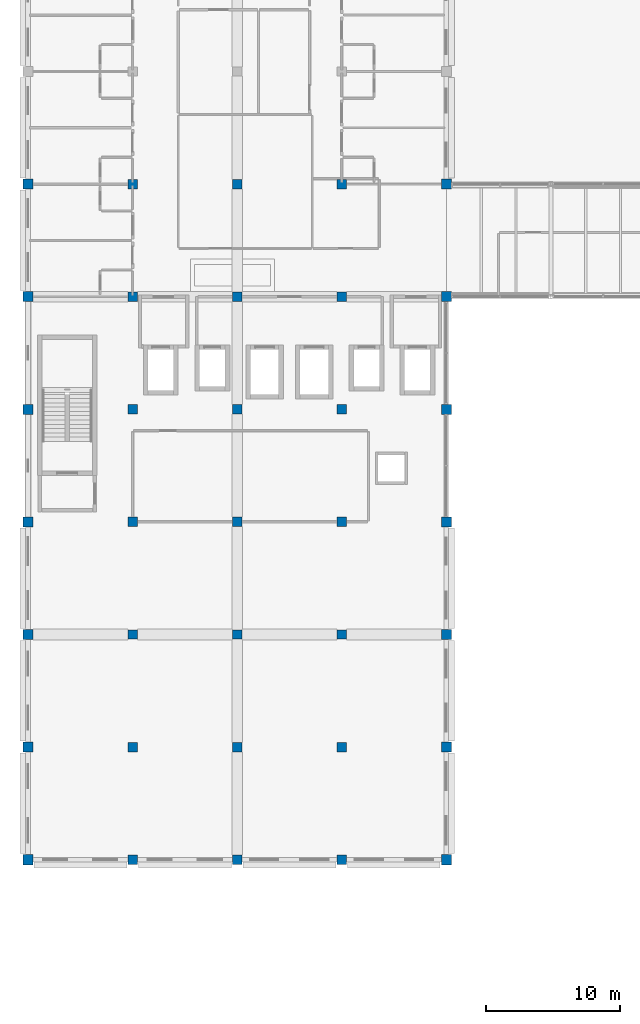
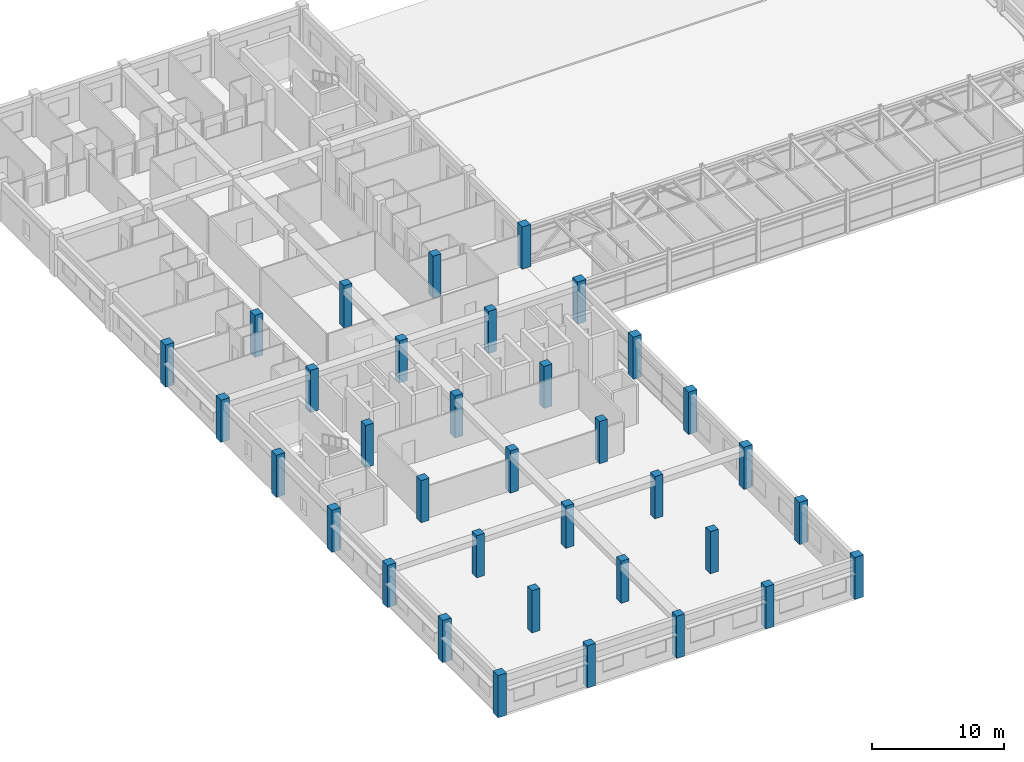
# One storey, part 1 of 72: 35 columns.
"""IFC4 building model written with IfcOpenShell, lengths in metres."""

from ifc_helpers import new_model, si_unit, direction, frame, origin, origin_2d, place, context, subcontext, project, spatial, rectangle, extrude, material, material_profile, profile_set, type_object, element, save


model = new_model("IFC4")

# Units and contexts
model_context = context("Model", 3, precision=1e-05, world=origin(), true_north=direction((0.0, 1.0)))
body_context = subcontext(model_context, "Body", "Model", "MODEL_VIEW")
ifc_project = project(units=[si_unit("LENGTHUNIT", "METRE"), si_unit("AREAUNIT", "SQUARE_METRE"), si_unit("VOLUMEUNIT", "CUBIC_METRE"), si_unit("PLANEANGLEUNIT", "RADIAN"), si_unit("MASSUNIT", "GRAM", prefix="KILO"), si_unit("THERMODYNAMICTEMPERATUREUNIT", "KELVIN"), si_unit("POWERUNIT", "WATT")], contexts=[model_context])

# Site, building, storey
site_placement = place(None, origin())
site = spatial("IfcSite", under=ifc_project, at=site_placement, CompositionType="ELEMENT")
building_placement = place(site_placement, origin())
building = spatial("IfcBuilding", under=site, at=building_placement, Name="Srebrne Nadtorze General Hospital", CompositionType="ELEMENT")
storey_placement = place(building_placement, frame((0.0, 0.0, 22.199951171875)))
storey = spatial("IfcBuildingStorey", under=building, at=storey_placement, Name="L05", CompositionType="ELEMENT", Elevation=22.199951171875)

# Columns
ifc_material_1 = material(Name="Concrete C40/50", Category="concrete")
ifc_material_profile_1 = material_profile(ifc_material_1, rectangle(XDim=0.699951171875, YDim=0.699951171875, at=origin_2d()), Name="RC-COL-700x700")
ifc_profile_set_1 = profile_set([ifc_material_profile_1], Name="Concrete C40/50")
column_type_1 = type_object("IfcColumnType", Name="Reinforced concrete column 700x700", PredefinedType="COLUMN", material=ifc_profile_set_1)
for number, where, z_axis, x_axis, name in (
    (1, (31.199951171875, 8.39990234375, 0.0), (0.0, 0.0, 1.0), (1.0, 0.0, 0.0), "Column CL-L05-5-B"),
    (2, (31.199951171875, 16.800048828125, 0.0), (0.0, 0.0, 1.0), (1.0, 0.0, 0.0), "Column CL-L05-5-C"),
    (3, (31.199951171875, 25.199951171875, 0.0), (0.0, 0.0, 1.0), (1.0, 0.0, 0.0), "Column CL-L05-5-D"),
    (4, (31.199951171875, 33.60009765625, 0.0), (0.0, 0.0, 1.0), (1.0, 0.0, 0.0), "Column CL-L05-5-E"),
    (5, (31.199951171875, 42.0, 0.0), (0.0, 0.0, 1.0), (1.0, 0.0, 0.0), "Column CL-L05-5-F"),
    (6, (31.199951171875, 50.39990234375, 0.0), (0.0, 0.0, 1.0), (1.0, 0.0, 0.0), "Column CL-L05-5-G"),
    (7, (31.199951171875, 58.800048828125, 0.0), (0.0, 0.0, 1.0), (1.0, 0.0, 0.0), "Column CL-L05-5-H"),
    (8, (39.0, 8.39990234375, 0.0), (0.0, 0.0, 1.0), (1.0, 0.0, 0.0), "Column CL-L05-6-B"),
    (9, (39.0, 16.800048828125, 0.0), (0.0, 0.0, 1.0), (1.0, 0.0, 0.0), "Column CL-L05-6-C"),
    (10, (39.0, 25.199951171875, 0.0), (0.0, 0.0, 1.0), (1.0, 0.0, 0.0), "Column CL-L05-6-D"),
    (11, (39.0, 33.60009765625, 0.0), (0.0, 0.0, 1.0), (1.0, 0.0, 0.0), "Column CL-L05-6-E"),
    (12, (39.0, 42.0, 0.0), (0.0, 0.0, 1.0), (1.0, 0.0, 0.0), "Column CL-L05-6-F"),
    (13, (39.0, 50.39990234375, 0.0), (0.0, 0.0, 1.0), (1.0, 0.0, 0.0), "Column CL-L05-6-G"),
    (14, (39.0, 58.800048828125, 0.0), (0.0, 0.0, 1.0), (1.0, 0.0, 0.0), "Column CL-L05-6-H"),
    (15, (46.800048828125, 8.39990234375, 0.0), (0.0, 0.0, 1.0), (1.0, 0.0, 0.0), "Column CL-L05-7-B"),
    (16, (46.800048828125, 16.800048828125, 0.0), (0.0, 0.0, 1.0), (1.0, 0.0, 0.0), "Column CL-L05-7-C"),
    (17, (46.800048828125, 25.199951171875, 0.0), (0.0, 0.0, 1.0), (1.0, 0.0, 0.0), "Column CL-L05-7-D"),
    (18, (46.800048828125, 33.60009765625, 0.0), (0.0, 0.0, 1.0), (1.0, 0.0, 0.0), "Column CL-L05-7-E"),
    (19, (46.800048828125, 42.0, 0.0), (0.0, 0.0, 1.0), (1.0, 0.0, 0.0), "Column CL-L05-7-F"),
    (20, (46.800048828125, 50.39990234375, 0.0), (0.0, 0.0, 1.0), (1.0, 0.0, 0.0), "Column CL-L05-7-G"),
    (21, (46.800048828125, 58.800048828125, 0.0), (0.0, 0.0, 1.0), (1.0, 0.0, 0.0), "Column CL-L05-7-H"),
):
    element("IfcColumn", number, at=place(storey_placement, frame(where, z_axis=z_axis, x_axis=x_axis)), inside=storey, type_object=column_type_1, Name=name, PredefinedType="COLUMN", context=body_context, shape_type="SweptSolid", body=[
        extrude(rectangle(XDim=0.699951171875, YDim=0.699951171875, at=origin_2d()), origin(), (0.0, 0.0, 1.0), 3.900146484375),
    ])
ifc_material_2 = material(Name="Concrete C40/50", Category="concrete")
ifc_material_profile_2 = material_profile(ifc_material_2, rectangle(XDim=0.75, YDim=0.75, at=origin_2d()), Name="RC-COL-750x750")
ifc_profile_set_2 = profile_set([ifc_material_profile_2], Name="Concrete C40/50")
column_type_2 = type_object("IfcColumnType", Name="Reinforced concrete column 750x750", PredefinedType="COLUMN", material=ifc_profile_set_2)
for number, where, z_axis, x_axis, name in (
    (22, (23.39990234375, 8.39990234375, 0.0), (0.0, 0.0, 1.0), (1.0, 0.0, 0.0), "Column CL-L05-4-B"),
    (23, (23.39990234375, 16.800048828125, 0.0), (0.0, 0.0, 1.0), (1.0, 0.0, 0.0), "Column CL-L05-4-C"),
    (24, (23.39990234375, 25.199951171875, 0.0), (0.0, 0.0, 1.0), (1.0, 0.0, 0.0), "Column CL-L05-4-D"),
    (25, (23.39990234375, 33.60009765625, 0.0), (0.0, 0.0, 1.0), (1.0, 0.0, 0.0), "Column CL-L05-4-E"),
    (26, (23.39990234375, 42.0, 0.0), (0.0, 0.0, 1.0), (1.0, 0.0, 0.0), "Column CL-L05-4-F"),
    (27, (23.39990234375, 50.39990234375, 0.0), (0.0, 0.0, 1.0), (1.0, 0.0, 0.0), "Column CL-L05-4-G"),
    (28, (23.39990234375, 58.800048828125, 0.0), (0.0, 0.0, 1.0), (1.0, 0.0, 0.0), "Column CL-L05-4-H"),
    (29, (54.60009765625, 8.39990234375, 0.0), (0.0, 0.0, 1.0), (1.0, 0.0, 0.0), "Column CL-L05-8-B"),
    (30, (54.60009765625, 16.800048828125, 0.0), (0.0, 0.0, 1.0), (1.0, 0.0, 0.0), "Column CL-L05-8-C"),
    (31, (54.60009765625, 25.199951171875, 0.0), (0.0, 0.0, 1.0), (1.0, 0.0, 0.0), "Column CL-L05-8-D"),
    (32, (54.60009765625, 33.60009765625, 0.0), (0.0, 0.0, 1.0), (1.0, 0.0, 0.0), "Column CL-L05-8-E"),
    (33, (54.60009765625, 42.0, 0.0), (0.0, 0.0, 1.0), (1.0, 0.0, 0.0), "Column CL-L05-8-F"),
    (34, (54.60009765625, 50.39990234375, 0.0), (0.0, 0.0, 1.0), (1.0, 0.0, 0.0), "Column CL-L05-8-G"),
    (35, (54.60009765625, 58.800048828125, 0.0), (0.0, 0.0, 1.0), (1.0, 0.0, 0.0), "Column CL-L05-8-H"),
):
    element("IfcColumn", number, at=place(storey_placement, frame(where, z_axis=z_axis, x_axis=x_axis)), inside=storey, type_object=column_type_2, Name=name, PredefinedType="COLUMN", context=body_context, shape_type="SweptSolid", body=[
        extrude(rectangle(XDim=0.75, YDim=0.75, at=origin_2d()), origin(), (0.0, 0.0, 1.0), 3.900146484375),
    ])

save(model, "model.ifc")
